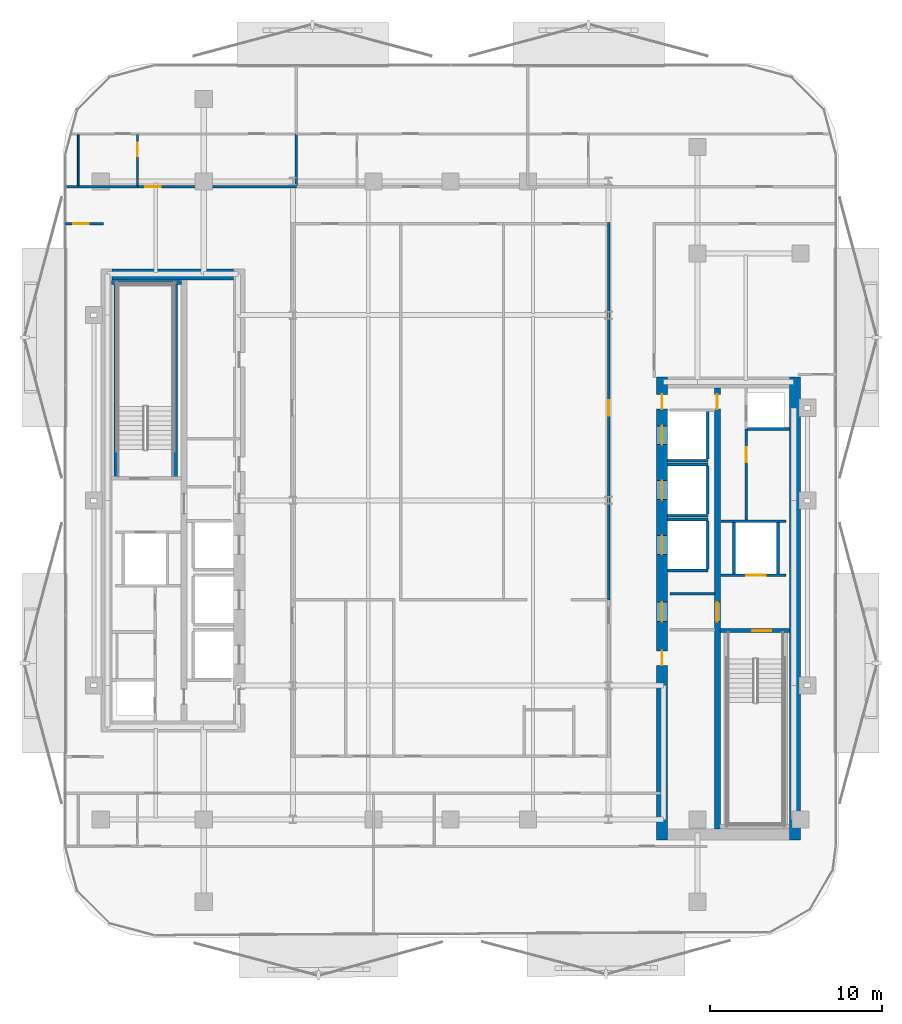
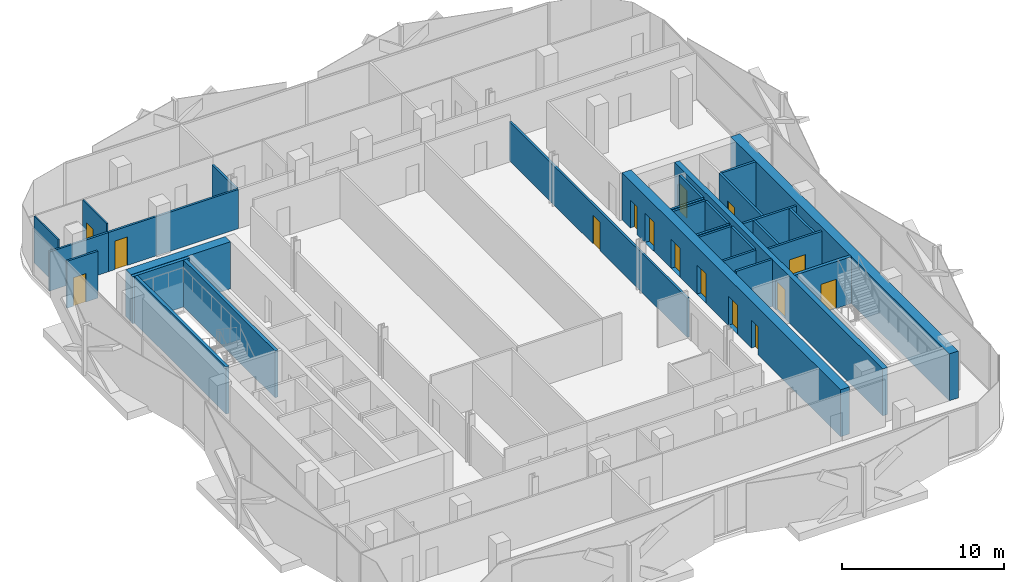
# One storey, part 5 of 16: 30 walls, 15 doors, 15 openings.
"""IFC4 building model written with IfcOpenShell, lengths in metres."""

from ifc_helpers import new_model, si_unit, direction, frame, frame_2d, origin, place, context, subcontext, project, spatial, rectangle, extrude, material, layer, layer_set, type_object, element, fill, save


model = new_model("IFC4")

# Units and contexts
model_context = context("Model", 3, precision=1e-05, world=origin(), true_north=direction((0.0, 1.0)))
body_context = subcontext(model_context, "Body", "Model", "MODEL_VIEW")
ifc_project = project(units=[si_unit("LENGTHUNIT", "METRE"), si_unit("AREAUNIT", "SQUARE_METRE"), si_unit("VOLUMEUNIT", "CUBIC_METRE"), si_unit("PLANEANGLEUNIT", "RADIAN"), si_unit("MASSUNIT", "GRAM", prefix="KILO")], contexts=[model_context])

# Site, building, storey
site_placement = place(None, origin())
site = spatial("IfcSite", under=ifc_project, at=site_placement, CompositionType="ELEMENT")
building_placement = place(site_placement, origin())
building = spatial("IfcBuilding", under=site, at=building_placement, Name="Khairoan Windgate Tower", CompositionType="ELEMENT")
storey_placement = place(building_placement, frame((0.0, 0.0, 187.800048828125)))
storey = spatial("IfcBuildingStorey", under=building, at=storey_placement, Name="L43", CompositionType="ELEMENT", Elevation=187.800048828125)

# Wall, opening, door
ifc_material_1 = material(Name="Moisture-Resistant Gypsum Partition", Category="gypsum")
ifc_layer_1 = layer(ifc_material_1, 0.10009765625, Name="Moisture-Resistant Gypsum Partition")
ifc_layer_set_1 = layer_set([ifc_layer_1], Name="Moisture-Resistant Gypsum Partition")
wall_type_1 = type_object("IfcWallType", Name="Bathroom Wet-Area Partition Wall", PredefinedType="PARTITIONING", material=ifc_layer_set_1)
wall_1_placement = place(storey_placement, frame((-18.260009765625, 18.35498046875, 0.0), z_axis=(0.0, 0.0, 1.0), x_axis=(0.0, 1.0, 0.0)))
wall_1 = element("IfcWall", 1, at=wall_1_placement, inside=storey, type_object=wall_type_1, Name="L43 Interior Partition 047", PredefinedType="PARTITIONING", context=body_context, shape_type="SweptSolid", body=[
    extrude(rectangle(XDim=2.965087890625, YDim=0.10009765625, at=frame_2d((1.482421875, 0.0))), origin(), (0.0, 0.0, 1.0), 3.5400390625),
])
opening_1_placement = place(wall_1_placement, frame((1.705078125, 0.0, 0.0)))
opening_1 = element("IfcOpeningElement", 2, at=opening_1_placement, cuts=wall_1, Name="Opening ID-BTH", PredefinedType="OPENING", context=body_context, shape_type="SweptSolid", body=[
    extrude(rectangle(XDim=0.800048828125, YDim=2.10009765625, at=frame_2d((0.39990234375, 1.050048828125))), frame((0.0, 0.06005859375, 0.0), z_axis=(0.0, -1.0, 0.0), x_axis=(1.0, 0.0, 0.0)), (0.0, 0.0, 1.0), 0.1201171875),
])
ifc_material_2 = material(Name="Teak Veneer Timber Leaf", Category="wood")
door_type_1 = type_object("IfcDoorType", Name="Internal Bathroom Door ID-BTH 800x2100", OperationType="NOTDEFINED", PredefinedType="DOOR", material=ifc_material_2)
door_1_placement = place(opening_1_placement, origin())
door_1 = element("IfcDoor", 3, at=door_1_placement, inside=storey, type_object=door_type_1, Name="L43 L43-39-L43-40 Door", OperationType="SINGLE_SWING_LEFT", OverallHeight=2.10009765625, OverallWidth=0.800048828125, PredefinedType="DOOR", context=body_context, shape_type="SweptSolid", body=[
    extrude(rectangle(XDim=0.800048828125, YDim=2.10009765625, at=frame_2d((0.39990234375, 1.050048828125))), frame((0.0, 0.02490234375, 0.0), z_axis=(0.0, -1.0, 0.0), x_axis=(1.0, 0.0, 0.0)), (0.0, 0.0, 1.0), 0.050048828125),
])
fill(opening_1, door_1)

# Walls
wall_2_placement = place(storey_placement, frame((-21.719970703125, 18.35498046875, 0.0), z_axis=(0.0, 0.0, 1.0), x_axis=(0.0, 1.0, 0.0)))
element("IfcWall", 4, at=wall_2_placement, inside=storey, type_object=wall_type_1, Name="L43 Wet Room Side Wall 071", PredefinedType="PARTITIONING", context=body_context, shape_type="SweptSolid", body=[
    extrude(rectangle(XDim=2.965087890625, YDim=0.10009765625, at=frame_2d((1.482421875, 0.0))), origin(), (0.0, 0.0, 1.0), 3.5400390625),
])
ifc_material_3 = material(Name="Concrete C40/50", Category="concrete")
ifc_layer_2 = layer(ifc_material_3, 0.159912109375, Name="Concrete C40/50")
ifc_layer_set_2 = layer_set([ifc_layer_2], Name="Concrete C40/50")
wall_type_2 = type_object("IfcWallType", Name="Core and Hoistway Enclosure Wall", PredefinedType="STANDARD", material=ifc_layer_set_2)
wall_3_placement = place(storey_placement, frame((12.64990234375, 2.31005859375, 0.0), z_axis=(0.0, 0.0, 1.0), x_axis=(1.0, 0.0, 0.0)))
element("IfcWall", 5, at=wall_3_placement, inside=storey, type_object=wall_type_2, Name="L43 Lift PL7 Hoistway Divider S", PredefinedType="STANDARD", context=body_context, shape_type="SweptSolid", body=[
    extrude(rectangle(XDim=2.340087890625, YDim=0.159912109375, at=frame_2d((1.169921875, 0.0))), origin(), (0.0, 0.0, 1.0), 3.5400390625),
])
wall_4_placement = place(storey_placement, frame((14.989990234375, 2.39990234375, 0.0), z_axis=(0.0, 0.0, 1.0), x_axis=(0.0, 1.0, 0.0)))
element("IfcWall", 6, at=wall_4_placement, inside=storey, type_object=wall_type_2, Name="L43 Lift PL7 Hoistway Back Wall", PredefinedType="STANDARD", context=body_context, shape_type="SweptSolid", body=[
    extrude(rectangle(XDim=2.800048828125, YDim=0.159912109375, at=frame_2d((1.39990234375, 0.0))), origin(), (0.0, 0.0, 1.0), 3.5400390625),
])
for number, where, z_axis, x_axis, name in (
    (7, (12.64990234375, -0.889892578125, 0.0), (0.0, 0.0, 1.0), (1.0, 0.0, 0.0), "L43 Lift PL8 Hoistway Divider S"),
    (8, (12.64990234375, 2.090087890625, 0.0), (0.0, 0.0, 1.0), (1.0, 0.0, 0.0), "L43 Lift PL8 Hoistway Divider N"),
):
    element("IfcWall", number, at=place(storey_placement, frame(where, z_axis=z_axis, x_axis=x_axis)), inside=storey, type_object=wall_type_2, Name=name, PredefinedType="STANDARD", context=body_context, shape_type="SweptSolid", body=[
        extrude(rectangle(XDim=2.340087890625, YDim=0.159912109375, at=frame_2d((1.169921875, 0.0))), origin(), (0.0, 0.0, 1.0), 3.5400390625),
    ])
wall_5_placement = place(storey_placement, frame((14.989990234375, -0.800048828125, 0.0), z_axis=(0.0, 0.0, 1.0), x_axis=(0.0, 1.0, 0.0)))
element("IfcWall", 9, at=wall_5_placement, inside=storey, type_object=wall_type_2, Name="L43 Lift PL8 Hoistway Back Wall", PredefinedType="STANDARD", context=body_context, shape_type="SweptSolid", body=[
    extrude(rectangle(XDim=2.800048828125, YDim=0.159912109375, at=frame_2d((1.39990234375, 0.0))), origin(), (0.0, 0.0, 1.0), 3.5400390625),
])
for number, where, z_axis, x_axis, name in (
    (10, (12.64990234375, -4.090087890625, 0.0), (0.0, 0.0, 1.0), (1.0, 0.0, 0.0), "L43 Lift PL9 Hoistway Divider S"),
    (11, (12.64990234375, -1.110107421875, 0.0), (0.0, 0.0, 1.0), (1.0, 0.0, 0.0), "L43 Lift PL9 Hoistway Divider N"),
):
    element("IfcWall", number, at=place(storey_placement, frame(where, z_axis=z_axis, x_axis=x_axis)), inside=storey, type_object=wall_type_2, Name=name, PredefinedType="STANDARD", context=body_context, shape_type="SweptSolid", body=[
        extrude(rectangle(XDim=2.340087890625, YDim=0.159912109375, at=frame_2d((1.169921875, 0.0))), origin(), (0.0, 0.0, 1.0), 3.5400390625),
    ])
wall_6_placement = place(storey_placement, frame((14.989990234375, -4.0, 0.0), z_axis=(0.0, 0.0, 1.0), x_axis=(0.0, 1.0, 0.0)))
element("IfcWall", 12, at=wall_6_placement, inside=storey, type_object=wall_type_2, Name="L43 Lift PL9 Hoistway Back Wall", PredefinedType="STANDARD", context=body_context, shape_type="SweptSolid", body=[
    extrude(rectangle(XDim=2.800048828125, YDim=0.159912109375, at=frame_2d((1.39990234375, 0.0))), origin(), (0.0, 0.0, 1.0), 3.5400390625),
])

# Wall, opening, door
wall_7_placement = place(storey_placement, frame((15.75, -4.360107421875, 0.0), z_axis=(0.0, 0.0, 1.0), x_axis=(1.0, 0.0, 0.0)))
wall_7 = element("IfcWall", 13, at=wall_7_placement, inside=storey, type_object=wall_type_2, Name="L43 Core Shaft Wall SW-FL1-L43", PredefinedType="STANDARD", context=body_context, shape_type="SweptSolid", body=[
    extrude(rectangle(XDim=3.800048828125, YDim=0.159912109375, at=frame_2d((1.89990234375, 0.0))), origin(), (0.0, 0.0, 1.0), 3.5400390625),
])
opening_2_placement = place(wall_7_placement, frame((1.469970703125, 0.0, 0.0)))
opening_2 = element("IfcOpeningElement", 14, at=opening_2_placement, cuts=wall_7, Name="Opening LD-FL", PredefinedType="OPENING", context=body_context, shape_type="SweptSolid", body=[
    extrude(rectangle(XDim=1.14990234375, YDim=2.199951171875, at=frame_2d((0.574951171875, 1.10009765625))), frame((0.0, 0.08984375, 0.0), z_axis=(0.0, -1.0, 0.0), x_axis=(1.0, 0.0, 0.0)), (0.0, 0.0, 1.0), 0.179931640625),
])
ifc_material_4 = material(Name="Steel S355", Category="steel")
door_type_2 = type_object("IfcDoorType", Name="Firefighting Lift Sliding Landing Door LD-FL 1150x2200", OperationType="DOUBLE_DOOR_SLIDING", PredefinedType="DOOR", material=ifc_material_4)
door_2_placement = place(opening_2_placement, origin())
door_2 = element("IfcDoor", 15, at=door_2_placement, inside=storey, type_object=door_type_2, Name="L43 Firefighting Lift FL1 Landing Door", OperationType="DOUBLE_DOOR_SLIDING", OverallHeight=2.199951171875, OverallWidth=1.14990234375, PredefinedType="DOOR", context=body_context, shape_type="SweptSolid", body=[
    extrude(rectangle(XDim=1.14990234375, YDim=2.199951171875, at=frame_2d((0.574951171875, 1.10009765625))), frame((0.0, 0.02490234375, 0.0), z_axis=(0.0, -1.0, 0.0), x_axis=(1.0, 0.0, 0.0)), (0.0, 0.0, 1.0), 0.050048828125),
])
fill(opening_2, door_2)

# Walls
wall_8_placement = place(storey_placement, frame((15.75, -1.219970703125, 0.0), z_axis=(0.0, 0.0, 1.0), x_axis=(1.0, 0.0, 0.0)))
element("IfcWall", 16, at=wall_8_placement, inside=storey, type_object=wall_type_2, Name="L43 Core Shaft Wall SW-FL1T-L43", PredefinedType="STANDARD", context=body_context, shape_type="SweptSolid", body=[
    extrude(rectangle(XDim=3.800048828125, YDim=0.159912109375, at=frame_2d((1.89990234375, 0.0))), origin(), (0.0, 0.0, 1.0), 3.5400390625),
])
for number, where, z_axis, x_axis, name in (
    (17, (16.52001953125, -4.280029296875, 0.0), (0.0, 0.0, 1.0), (0.0, 1.0, 0.0), "L43 Core Shaft Wall SW-FL1W-L43"),
    (18, (19.080078125, -4.280029296875, 0.0), (0.0, 0.0, 1.0), (0.0, 1.0, 0.0), "L43 Core Shaft Wall SW-FL1E-L43"),
):
    element("IfcWall", number, at=place(storey_placement, frame(where, z_axis=z_axis, x_axis=x_axis)), inside=storey, type_object=wall_type_2, Name=name, PredefinedType="STANDARD", context=body_context, shape_type="SweptSolid", body=[
        extrude(rectangle(XDim=2.97998046875, YDim=0.159912109375, at=frame_2d((1.489990234375, 0.0))), origin(), (0.0, 0.0, 1.0), 3.5400390625),
    ])
wall_9_placement = place(storey_placement, frame((12.800048828125, -5.449951171875, 0.0), z_axis=(0.0, 0.0, 1.0), x_axis=(1.0, 0.0, 0.0)))
element("IfcWall", 19, at=wall_9_placement, inside=storey, type_object=wall_type_2, Name="L43 Core Shaft Wall SW-EV1-L43", PredefinedType="STANDARD", context=body_context, shape_type="SweptSolid", body=[
    extrude(rectangle(XDim=2.599853515625, YDim=0.159912109375, at=frame_2d((1.2998046875, 0.0))), origin(), (0.0, 0.0, 1.0), 3.5400390625),
])
ifc_material_5 = material(Name="Acoustic Fire-Rated Gypsum Partition", Category="gypsum")
ifc_layer_3 = layer(ifc_material_5, 0.139892578125, Name="Acoustic Fire-Rated Gypsum Partition")
ifc_layer_set_3 = layer_set([ifc_layer_3], Name="Acoustic Fire-Rated Gypsum Partition")
wall_type_3 = type_object("IfcWallType", Name="Inter-Tenancy Compartment Wall", PredefinedType="PARTITIONING", material=ifc_layer_set_3)
wall_10_placement = place(storey_placement, frame((-9.0, 18.35498046875, 0.0), z_axis=(0.0, 0.0, 1.0), x_axis=(0.0, 1.0, 0.0)))
element("IfcWall", 20, at=wall_10_placement, inside=storey, type_object=wall_type_3, Name="L43 Interior Partition 050", PredefinedType="PARTITIONING", context=body_context, shape_type="SweptSolid", body=[
    extrude(rectangle(XDim=3.01513671875, YDim=0.139892578125, at=frame_2d((1.507568359375, 0.0))), origin(), (0.0, 0.0, 1.0), 2.951904296875),
])

# Wall, opening, door
ifc_material_6 = material(Name="Concrete C40/50", Category="concrete")
ifc_layer_4 = layer(ifc_material_6, 0.159912109375, Name="Concrete C40/50")
ifc_layer_set_4 = layer_set([ifc_layer_4], Name="Concrete C40/50")
wall_type_4 = type_object("IfcWallType", Name="Plant and Refuge Compartment Wall", PredefinedType="PARTITIONING", material=ifc_layer_set_4)
wall_11_placement = place(storey_placement, frame((17.22998046875, -1.139892578125, 0.0), z_axis=(0.0, 0.0, 1.0), x_axis=(0.0, 1.0, 0.0)))
wall_11 = element("IfcWall", 21, at=wall_11_placement, inside=storey, type_object=wall_type_4, Name="L43 Interior Partition 008", PredefinedType="PARTITIONING", context=body_context, shape_type="SweptSolid", body=[
    extrude(rectangle(XDim=5.309814453125, YDim=0.159912109375, at=frame_2d((2.65478515625, 0.0))), origin(), (0.0, 0.0, 1.0), 3.5400390625),
])
opening_3_placement = place(wall_11_placement, frame((3.375244140625, 0.0, 0.0)))
opening_3 = element("IfcOpeningElement", 22, at=opening_3_placement, cuts=wall_11, Name="Opening FD-SRV", PredefinedType="OPENING", context=body_context, shape_type="SweptSolid", body=[
    extrude(rectangle(XDim=0.85009765625, YDim=2.10009765625, at=frame_2d((0.425048828125, 1.050048828125))), frame((0.0, 0.08984375, 0.0), z_axis=(0.0, -1.0, 0.0), x_axis=(1.0, 0.0, 0.0)), (0.0, 0.0, 1.0), 0.179931640625),
])
ifc_material_7 = material(Name="Steel S355", Category="steel")
door_type_3 = type_object("IfcDoorType", Name="Core Service and Riser Fire Door FD-SRV 850x2100", OperationType="NOTDEFINED", PredefinedType="DOOR", material=ifc_material_7)
door_3_placement = place(opening_3_placement, origin())
door_3 = element("IfcDoor", 23, at=door_3_placement, inside=storey, type_object=door_type_3, Name="L43 L43-18-L43-20 Door", OperationType="SINGLE_SWING_LEFT", OverallHeight=2.10009765625, OverallWidth=0.85009765625, PredefinedType="DOOR", context=body_context, shape_type="SweptSolid", body=[
    extrude(rectangle(XDim=0.85009765625, YDim=2.10009765625, at=frame_2d((0.425048828125, 1.050048828125))), frame((0.0, 0.02490234375, 0.0), z_axis=(0.0, -1.0, 0.0), x_axis=(1.0, 0.0, 0.0)), (0.0, 0.0, 1.0), 0.050048828125),
])
fill(opening_3, door_3)

# Wall
wall_12_placement = place(storey_placement, frame((17.31005859375, 4.169921875, 0.0), z_axis=(0.0, 0.0, 1.0), x_axis=(1.0, 0.0, 0.0)))
element("IfcWall", 24, at=wall_12_placement, inside=storey, type_object=wall_type_4, Name="L43 Interior Partition 009", PredefinedType="PARTITIONING", context=body_context, shape_type="SweptSolid", body=[
    extrude(rectangle(XDim=2.43994140625, YDim=0.159912109375, at=frame_2d((1.219970703125, 0.0))), origin(), (0.0, 0.0, 1.0), 3.5400390625),
])

# Wall, opening, door
ifc_material_8 = material(Name="Acoustic Fire-Rated Gypsum Partition", Category="gypsum")
ifc_layer_5 = layer(ifc_material_8, 0.14990234375, Name="Acoustic Fire-Rated Gypsum Partition")
ifc_layer_set_5 = layer_set([ifc_layer_5], Name="Acoustic Fire-Rated Gypsum Partition")
wall_type_5 = type_object("IfcWallType", Name="Rated Corridor Partition Wall", PredefinedType="PARTITIONING", material=ifc_layer_set_5)
wall_13_placement = place(storey_placement, frame((9.219970703125, -5.800048828125, 0.0), z_axis=(0.0, 0.0, 1.0), x_axis=(0.0, 1.0, 0.0)))
wall_13 = element("IfcWall", 25, at=wall_13_placement, inside=storey, type_object=wall_type_5, Name="L43 Interior Partition 013", PredefinedType="PARTITIONING", context=body_context, shape_type="SweptSolid", body=[
    extrude(rectangle(XDim=21.9951171875, YDim=0.14990234375, at=frame_2d((10.99755859375, 0.0))), origin(), (0.0, 0.0, 1.0), 2.951904296875),
])
opening_4_placement = place(wall_13_placement, frame((10.749267578125, 0.0, 0.0)))
opening_4 = element("IfcOpeningElement", 26, at=opening_4_placement, cuts=wall_13, Name="Opening FD-ENT", PredefinedType="OPENING", context=body_context, shape_type="SweptSolid", body=[
    extrude(rectangle(XDim=0.89990234375, YDim=2.14990234375, at=frame_2d((0.449951171875, 1.074951171875))), frame((0.0, 0.0849609375, 0.0), z_axis=(0.0, -1.0, 0.0), x_axis=(1.0, 0.0, 0.0)), (0.0, 0.0, 1.0), 0.169921875),
])
ifc_material_9 = material(Name="Timber Fire-Rated Core", Category="wood")
door_type_4 = type_object("IfcDoorType", Name="Unit and Office Fire Entrance Door FD-ENT 900x2150", OperationType="NOTDEFINED", PredefinedType="DOOR", material=ifc_material_9)
door_4_placement = place(opening_4_placement, origin())
door_4 = element("IfcDoor", 27, at=door_4_placement, inside=storey, type_object=door_type_4, Name="L43 L43-28-L43-38 Door", OperationType="SINGLE_SWING_LEFT", OverallHeight=2.14990234375, OverallWidth=0.89990234375, PredefinedType="DOOR", context=body_context, shape_type="SweptSolid", body=[
    extrude(rectangle(XDim=0.89990234375, YDim=2.14990234375, at=frame_2d((0.449951171875, 1.074951171875))), frame((0.0, 0.02490234375, 0.0), z_axis=(0.0, -1.0, 0.0), x_axis=(1.0, 0.0, 0.0)), (0.0, 0.0, 1.0), 0.050048828125),
])
fill(opening_4, door_4)

# Wall
wall_14_placement = place(storey_placement, frame((-22.455078125, 18.280029296875, 0.0), z_axis=(0.0, 0.0, 1.0), x_axis=(1.0, 0.0, 0.0)))
element("IfcWall", 28, at=wall_14_placement, inside=storey, type_object=wall_type_5, Name="L43 Interior Partition 018", PredefinedType="PARTITIONING", context=body_context, shape_type="SweptSolid", body=[
    extrude(rectangle(XDim=4.195068359375, YDim=0.14990234375, at=frame_2d((2.09765625, 0.0))), origin(), (0.0, 0.0, 1.0), 2.951904296875),
])

# Wall, opening, door
wall_15_placement = place(storey_placement, frame((-18.260009765625, 18.280029296875, 0.0), z_axis=(0.0, 0.0, 1.0), x_axis=(1.0, 0.0, 0.0)))
wall_15 = element("IfcWall", 29, at=wall_15_placement, inside=storey, type_object=wall_type_5, Name="L43 Interior Partition 019", PredefinedType="PARTITIONING", context=body_context, shape_type="SweptSolid", body=[
    extrude(rectangle(XDim=9.260009765625, YDim=0.14990234375, at=frame_2d((4.6298828125, 0.0))), origin(), (0.0, 0.0, 1.0), 2.951904296875),
])
opening_5_placement = place(wall_15_placement, frame((0.4599609375, 0.0, 0.0)))
opening_5 = element("IfcOpeningElement", 30, at=opening_5_placement, cuts=wall_15, Name="Opening FD-ENT", PredefinedType="OPENING", context=body_context, shape_type="SweptSolid", body=[
    extrude(rectangle(XDim=0.89990234375, YDim=2.14990234375, at=frame_2d((0.449951171875, 1.074951171875))), frame((0.0, 0.0849609375, 0.0), z_axis=(0.0, -1.0, 0.0), x_axis=(1.0, 0.0, 0.0)), (0.0, 0.0, 1.0), 0.169921875),
])
door_5_placement = place(opening_5_placement, origin())
door_5 = element("IfcDoor", 31, at=door_5_placement, inside=storey, type_object=door_type_4, Name="L43 L43-29-L43-40 Door", OperationType="SINGLE_SWING_RIGHT", OverallHeight=2.14990234375, OverallWidth=0.89990234375, PredefinedType="DOOR", context=body_context, shape_type="SweptSolid", body=[
    extrude(rectangle(XDim=0.89990234375, YDim=2.14990234375, at=frame_2d((0.449951171875, 1.074951171875))), frame((0.0, 0.02490234375, 0.0), z_axis=(0.0, -1.0, 0.0), x_axis=(1.0, 0.0, 0.0)), (0.0, 0.0, 1.0), 0.050048828125),
])
fill(opening_5, door_5)

wall_16_placement = place(storey_placement, frame((-22.455078125, 16.139892578125, 0.0), z_axis=(0.0, 0.0, 1.0), x_axis=(1.0, 0.0, 0.0)))
wall_16 = element("IfcWall", 32, at=wall_16_placement, inside=storey, type_object=wall_type_5, Name="L43 Interior Partition 025", PredefinedType="PARTITIONING", context=body_context, shape_type="SweptSolid", body=[
    extrude(rectangle(XDim=2.215087890625, YDim=0.14990234375, at=frame_2d((1.107421875, 0.0))), origin(), (0.0, 0.0, 1.0), 3.5400390625),
])
opening_6_placement = place(wall_16_placement, frame((0.4599609375, 0.0, 0.0)))
opening_6 = element("IfcOpeningElement", 33, at=opening_6_placement, cuts=wall_16, Name="Opening FD-ENT", PredefinedType="OPENING", context=body_context, shape_type="SweptSolid", body=[
    extrude(rectangle(XDim=0.89990234375, YDim=2.14990234375, at=frame_2d((0.449951171875, 1.074951171875))), frame((0.0, 0.0849609375, 0.0), z_axis=(0.0, -1.0, 0.0), x_axis=(1.0, 0.0, 0.0)), (0.0, 0.0, 1.0), 0.169921875),
])
door_6_placement = place(opening_6_placement, origin())
door_6 = element("IfcDoor", 34, at=door_6_placement, inside=storey, type_object=door_type_4, Name="L43 L43-29-L43-55 Door", OperationType="SINGLE_SWING_RIGHT", OverallHeight=2.14990234375, OverallWidth=0.89990234375, PredefinedType="DOOR", context=body_context, shape_type="SweptSolid", body=[
    extrude(rectangle(XDim=0.89990234375, YDim=2.14990234375, at=frame_2d((0.449951171875, 1.074951171875))), frame((0.0, 0.02490234375, 0.0), z_axis=(0.0, -1.0, 0.0), x_axis=(1.0, 0.0, 0.0)), (0.0, 0.0, 1.0), 0.050048828125),
])
fill(opening_6, door_6)

# Wall, openings, doors
ifc_material_10 = material(Name="Concrete C60/75", Category="concrete")
ifc_layer_6 = layer(ifc_material_10, 0.64990234375, Name="Concrete C60/75")
ifc_layer_set_6 = layer_set([ifc_layer_6], Name="Concrete C60/75")
wall_type_6 = type_object("IfcWallType", Name="Shear Wall CW-E2 650mm", PredefinedType="SHEAR", material=ifc_layer_set_6)
wall_17_placement = place(storey_placement, frame((12.324951171875, -19.800048828125, 0.0), z_axis=(0.0, 0.0, 1.0), x_axis=(0.0, 1.0, 0.0)))
wall_17 = element("IfcWall", 35, at=wall_17_placement, inside=storey, type_object=wall_type_6, Name="E Core West Shear Wall L43", PredefinedType="SHEAR", context=body_context, shape_type="SweptSolid", body=[
    extrude(rectangle(XDim=27.0, YDim=0.64990234375, at=frame_2d((13.5, 0.0))), origin(), (0.0, 0.0, 1.0), 3.5400390625),
])
opening_7_placement = place(wall_17_placement, frame((23.050048828125, 0.0, 0.0)))
opening_7 = element("IfcOpeningElement", 36, at=opening_7_placement, cuts=wall_17, Name="Opening LD-PL", PredefinedType="OPENING", context=body_context, shape_type="SweptSolid", body=[
    extrude(rectangle(XDim=1.10009765625, YDim=2.199951171875, at=frame_2d((0.550048828125, 1.10009765625))), frame((0.0, 0.3349609375, 0.0), z_axis=(0.0, -1.0, 0.0), x_axis=(1.0, 0.0, 0.0)), (0.0, 0.0, 1.0), 0.669921875),
])
opening_8_placement = place(wall_17_placement, frame((19.85009765625, 0.0, 0.0)))
opening_8 = element("IfcOpeningElement", 37, at=opening_8_placement, cuts=wall_17, Name="Opening LD-PL", PredefinedType="OPENING", context=body_context, shape_type="SweptSolid", body=[
    extrude(rectangle(XDim=1.10009765625, YDim=2.199951171875, at=frame_2d((0.550048828125, 1.10009765625))), frame((0.0, 0.3349609375, 0.0), z_axis=(0.0, -1.0, 0.0), x_axis=(1.0, 0.0, 0.0)), (0.0, 0.0, 1.0), 0.669921875),
])
opening_9_placement = place(wall_17_placement, frame((16.64990234375, 0.0, 0.0)))
opening_9 = element("IfcOpeningElement", 38, at=opening_9_placement, cuts=wall_17, Name="Opening LD-PL", PredefinedType="OPENING", context=body_context, shape_type="SweptSolid", body=[
    extrude(rectangle(XDim=1.10009765625, YDim=2.199951171875, at=frame_2d((0.550048828125, 1.10009765625))), frame((0.0, 0.3349609375, 0.0), z_axis=(0.0, -1.0, 0.0), x_axis=(1.0, 0.0, 0.0)), (0.0, 0.0, 1.0), 0.669921875),
])
opening_10_placement = place(wall_17_placement, frame((10.175048828125, 0.0, 0.0)))
opening_10 = element("IfcOpeningElement", 39, at=opening_10_placement, cuts=wall_17, Name="Opening FD-SRV", PredefinedType="OPENING", context=body_context, shape_type="SweptSolid", body=[
    extrude(rectangle(XDim=0.85009765625, YDim=2.10009765625, at=frame_2d((0.425048828125, 1.050048828125))), frame((0.0, 0.3349609375, 0.0), z_axis=(0.0, -1.0, 0.0), x_axis=(1.0, 0.0, 0.0)), (0.0, 0.0, 1.0), 0.669921875),
])
opening_11_placement = place(wall_17_placement, frame((12.72509765625, 0.0, 0.0)))
opening_11 = element("IfcOpeningElement", 40, at=opening_11_placement, cuts=wall_17, Name="Opening FD-FFL", PredefinedType="OPENING", context=body_context, shape_type="SweptSolid", body=[
    extrude(rectangle(XDim=1.14990234375, YDim=2.199951171875, at=frame_2d((0.574951171875, 1.10009765625))), frame((0.0, 0.3349609375, 0.0), z_axis=(0.0, -1.0, 0.0), x_axis=(1.0, 0.0, 0.0)), (0.0, 0.0, 1.0), 0.669921875),
])
opening_12_placement = place(wall_17_placement, frame((25.125, 0.0, 0.0)))
opening_12 = element("IfcOpeningElement", 41, at=opening_12_placement, cuts=wall_17, Name="Opening FD-SRV", PredefinedType="OPENING", context=body_context, shape_type="SweptSolid", body=[
    extrude(rectangle(XDim=0.85009765625, YDim=2.10009765625, at=frame_2d((0.425048828125, 1.050048828125))), frame((0.0, 0.3349609375, 0.0), z_axis=(0.0, -1.0, 0.0), x_axis=(1.0, 0.0, 0.0)), (0.0, 0.0, 1.0), 0.669921875),
])
door_7_placement = place(opening_10_placement, origin())
door_7 = element("IfcDoor", 42, at=door_7_placement, inside=storey, type_object=door_type_3, Name="L43 East Core Service Room Door 1", OperationType="SINGLE_SWING_RIGHT", OverallHeight=2.10009765625, OverallWidth=0.85009765625, PredefinedType="DOOR", context=body_context, shape_type="SweptSolid", body=[
    extrude(rectangle(XDim=0.85009765625, YDim=2.10009765625, at=frame_2d((0.425048828125, 1.050048828125))), frame((0.0, 0.02490234375, 0.0), z_axis=(0.0, -1.0, 0.0), x_axis=(1.0, 0.0, 0.0)), (0.0, 0.0, 1.0), 0.050048828125),
])
fill(opening_10, door_7)
door_8_placement = place(opening_12_placement, origin())
door_8 = element("IfcDoor", 43, at=door_8_placement, inside=storey, type_object=door_type_3, Name="L43 East Core Service Vestibule Outer Door", OperationType="SINGLE_SWING_LEFT", OverallHeight=2.10009765625, OverallWidth=0.85009765625, PredefinedType="DOOR", context=body_context, shape_type="SweptSolid", body=[
    extrude(rectangle(XDim=0.85009765625, YDim=2.10009765625, at=frame_2d((0.425048828125, 1.050048828125))), frame((0.0, 0.02490234375, 0.0), z_axis=(0.0, -1.0, 0.0), x_axis=(1.0, 0.0, 0.0)), (0.0, 0.0, 1.0), 0.050048828125),
])
fill(opening_12, door_8)
ifc_material_11 = material(Name="Steel S355", Category="steel")
door_type_5 = type_object("IfcDoorType", Name="Firefighting Lobby Fire Door FD-FFL 1150x2200", OperationType="NOTDEFINED", PredefinedType="DOOR", material=ifc_material_11)
door_9_placement = place(opening_11_placement, origin())
door_9 = element("IfcDoor", 44, at=door_9_placement, inside=storey, type_object=door_type_5, Name="L43 East Core Vestibule Entry Door", OperationType="SINGLE_SWING_LEFT", OverallHeight=2.199951171875, OverallWidth=1.14990234375, PredefinedType="DOOR", context=body_context, shape_type="SweptSolid", body=[
    extrude(rectangle(XDim=1.14990234375, YDim=2.199951171875, at=frame_2d((0.574951171875, 1.10009765625))), frame((0.0, 0.02490234375, 0.0), z_axis=(0.0, -1.0, 0.0), x_axis=(1.0, 0.0, 0.0)), (0.0, 0.0, 1.0), 0.050048828125),
])
fill(opening_11, door_9)
ifc_material_12 = material(Name="Anodised Bronze Aluminium 6063-T6", Category="aluminium")
door_type_6 = type_object("IfcDoorType", Name="Passenger Lift Sliding Landing Door LD-PL 1100x2200", OperationType="DOUBLE_DOOR_SLIDING", PredefinedType="DOOR", material=ifc_material_12)
door_10_placement = place(opening_7_placement, origin())
door_10 = element("IfcDoor", 45, at=door_10_placement, inside=storey, type_object=door_type_6, Name="L43 Lift PL7 Sliding Landing Door", OperationType="DOUBLE_DOOR_SLIDING", OverallHeight=2.199951171875, OverallWidth=1.10009765625, PredefinedType="DOOR", context=body_context, shape_type="SweptSolid", body=[
    extrude(rectangle(XDim=1.10009765625, YDim=2.199951171875, at=frame_2d((0.550048828125, 1.10009765625))), frame((0.0, 0.02490234375, 0.0), z_axis=(0.0, -1.0, 0.0), x_axis=(1.0, 0.0, 0.0)), (0.0, 0.0, 1.0), 0.050048828125),
])
fill(opening_7, door_10)
door_11_placement = place(opening_8_placement, origin())
door_11 = element("IfcDoor", 46, at=door_11_placement, inside=storey, type_object=door_type_6, Name="L43 Lift PL8 Sliding Landing Door", OperationType="DOUBLE_DOOR_SLIDING", OverallHeight=2.199951171875, OverallWidth=1.10009765625, PredefinedType="DOOR", context=body_context, shape_type="SweptSolid", body=[
    extrude(rectangle(XDim=1.10009765625, YDim=2.199951171875, at=frame_2d((0.550048828125, 1.10009765625))), frame((0.0, 0.02490234375, 0.0), z_axis=(0.0, -1.0, 0.0), x_axis=(1.0, 0.0, 0.0)), (0.0, 0.0, 1.0), 0.050048828125),
])
fill(opening_8, door_11)
door_12_placement = place(opening_9_placement, origin())
door_12 = element("IfcDoor", 47, at=door_12_placement, inside=storey, type_object=door_type_6, Name="L43 Lift PL9 Sliding Landing Door", OperationType="DOUBLE_DOOR_SLIDING", OverallHeight=2.199951171875, OverallWidth=1.10009765625, PredefinedType="DOOR", context=body_context, shape_type="SweptSolid", body=[
    extrude(rectangle(XDim=1.10009765625, YDim=2.199951171875, at=frame_2d((0.550048828125, 1.10009765625))), frame((0.0, 0.02490234375, 0.0), z_axis=(0.0, -1.0, 0.0), x_axis=(1.0, 0.0, 0.0)), (0.0, 0.0, 1.0), 0.050048828125),
])
fill(opening_9, door_12)

# Walls
wall_18_placement = place(storey_placement, frame((20.074951171875, -19.800048828125, 0.0), z_axis=(0.0, 0.0, 1.0), x_axis=(0.0, 1.0, 0.0)))
element("IfcWall", 48, at=wall_18_placement, inside=storey, type_object=wall_type_6, Name="E Core East Shear Wall L43", PredefinedType="SHEAR", context=body_context, shape_type="SweptSolid", body=[
    extrude(rectangle(XDim=27.0, YDim=0.64990234375, at=frame_2d((13.5, 0.0))), origin(), (0.0, 0.0, 1.0), 3.5400390625),
])
ifc_material_13 = material(Name="Concrete C60/75", Category="concrete")
ifc_layer_7 = layer(ifc_material_13, 0.64990234375, Name="Concrete C60/75")
ifc_layer_set_7 = layer_set([ifc_layer_7], Name="Concrete C60/75")
wall_type_7 = type_object("IfcWallType", Name="Shear Wall CW-W2 650mm", PredefinedType="SHEAR", material=ifc_layer_set_7)
wall_19_placement = place(storey_placement, frame((-19.75, 13.175048828125, 0.0), z_axis=(0.0, 0.0, 1.0), x_axis=(1.0, 0.0, 0.0)))
element("IfcWall", 49, at=wall_19_placement, inside=storey, type_object=wall_type_7, Name="W Core North Shear Wall L43", PredefinedType="SHEAR", context=body_context, shape_type="SweptSolid", body=[
    extrude(rectangle(XDim=7.10009765625, YDim=0.64990234375, at=frame_2d((3.550048828125, 0.0))), origin(), (0.0, 0.0, 1.0), 3.5400390625),
])

# Wall, openings, doors
ifc_material_14 = material(Name="Concrete C60/75", Category="concrete")
ifc_layer_8 = layer(ifc_material_14, 0.35009765625, Name="Concrete C60/75")
ifc_layer_set_8 = layer_set([ifc_layer_8], Name="Concrete C60/75")
wall_type_8 = type_object("IfcWallType", Name="Shear Wall SW-1 350mm", PredefinedType="SHEAR", material=ifc_layer_set_8)
wall_20_placement = place(storey_placement, frame((15.550048828125, -19.14990234375, 0.0), z_axis=(0.0, 0.0, 1.0), x_axis=(0.0, 1.0, 0.0)))
wall_20 = element("IfcWall", 50, at=wall_20_placement, inside=storey, type_object=wall_type_8, Name="E Core Spine Shear Wall L43", PredefinedType="SHEAR", context=body_context, shape_type="SweptSolid", body=[
    extrude(rectangle(XDim=25.699951171875, YDim=0.35009765625, at=frame_2d((12.85009765625, 0.0))), origin(), (0.0, 0.0, 1.0), 3.5400390625),
])
opening_13_placement = place(wall_20_placement, frame((12.074951171875, 0.0, 0.0)))
opening_13 = element("IfcOpeningElement", 51, at=opening_13_placement, cuts=wall_20, Name="Opening FD-FFL", PredefinedType="OPENING", context=body_context, shape_type="SweptSolid", body=[
    extrude(rectangle(XDim=1.14990234375, YDim=2.199951171875, at=frame_2d((0.574951171875, 1.10009765625))), frame((0.0, 0.18505859375, 0.0), z_axis=(0.0, -1.0, 0.0), x_axis=(1.0, 0.0, 0.0)), (0.0, 0.0, 1.0), 0.3701171875),
])
opening_14_placement = place(wall_20_placement, frame((24.47509765625, 0.0, 0.0)))
opening_14 = element("IfcOpeningElement", 52, at=opening_14_placement, cuts=wall_20, Name="Opening FD-SRV", PredefinedType="OPENING", context=body_context, shape_type="SweptSolid", body=[
    extrude(rectangle(XDim=0.85009765625, YDim=2.10009765625, at=frame_2d((0.425048828125, 1.050048828125))), frame((0.0, 0.18505859375, 0.0), z_axis=(0.0, -1.0, 0.0), x_axis=(1.0, 0.0, 0.0)), (0.0, 0.0, 1.0), 0.3701171875),
])
door_13_placement = place(opening_14_placement, origin())
door_13 = element("IfcDoor", 53, at=door_13_placement, inside=storey, type_object=door_type_3, Name="L43 East Core Service Passage Inner Door", OperationType="SINGLE_SWING_RIGHT", OverallHeight=2.10009765625, OverallWidth=0.85009765625, PredefinedType="DOOR", context=body_context, shape_type="SweptSolid", body=[
    extrude(rectangle(XDim=0.85009765625, YDim=2.10009765625, at=frame_2d((0.425048828125, 1.050048828125))), frame((0.0, 0.02490234375, 0.0), z_axis=(0.0, -1.0, 0.0), x_axis=(1.0, 0.0, 0.0)), (0.0, 0.0, 1.0), 0.050048828125),
])
fill(opening_14, door_13)
door_14_placement = place(opening_13_placement, origin())
door_14 = element("IfcDoor", 54, at=door_14_placement, inside=storey, type_object=door_type_5, Name="L43 East Firefighting Lobby Fire Door", OperationType="SINGLE_SWING_RIGHT", OverallHeight=2.199951171875, OverallWidth=1.14990234375, PredefinedType="DOOR", context=body_context, shape_type="SweptSolid", body=[
    extrude(rectangle(XDim=1.14990234375, YDim=2.199951171875, at=frame_2d((0.574951171875, 1.10009765625))), frame((0.0, 0.02490234375, 0.0), z_axis=(0.0, -1.0, 0.0), x_axis=(1.0, 0.0, 0.0)), (0.0, 0.0, 1.0), 0.050048828125),
])
fill(opening_13, door_14)

# Wall, opening, door
ifc_material_15 = material(Name="Concrete C50/60", Category="concrete")
ifc_layer_9 = layer(ifc_material_15, 0.219970703125, Name="Concrete C50/60")
ifc_layer_set_9 = layer_set([ifc_layer_9], Name="Concrete C50/60")
wall_type_9 = type_object("IfcWallType", Name="Shear Wall SW-ST 220mm", PredefinedType="SHEAR", material=ifc_layer_set_9)
wall_21_placement = place(storey_placement, frame((19.77001953125, -7.590087890625, 0.0), z_axis=(0.0, 0.0, 1.0), x_axis=(-1.0, 0.0, 0.0)))
wall_21 = element("IfcWall", 55, at=wall_21_placement, inside=storey, type_object=wall_type_9, Name="L43 Stair ST1 North Bearing Wall", PredefinedType="SHEAR", context=body_context, shape_type="SweptSolid", body=[
    extrude(rectangle(XDim=4.06494140625, YDim=0.219970703125, at=frame_2d((2.032470703125, 0.0))), origin(), (0.0, 0.0, 1.0), 3.5400390625),
])
opening_15_placement = place(wall_21_placement, frame((1.080078125, 0.0, 0.0)))
opening_15 = element("IfcOpeningElement", 56, at=opening_15_placement, cuts=wall_21, Name="Opening FD-ST", PredefinedType="OPENING", context=body_context, shape_type="SweptSolid", body=[
    extrude(rectangle(XDim=1.10009765625, YDim=2.199951171875, at=frame_2d((0.550048828125, 1.10009765625))), frame((0.0, 0.119873046875, 0.0), z_axis=(0.0, -1.0, 0.0), x_axis=(1.0, 0.0, 0.0)), (0.0, 0.0, 1.0), 0.239990234375),
])
ifc_material_16 = material(Name="Steel S355", Category="steel")
door_type_7 = type_object("IfcDoorType", Name="Smokeproof Stair Fire Door FD-ST 1100x2200", OperationType="NOTDEFINED", PredefinedType="DOOR", material=ifc_material_16)
door_15_placement = place(opening_15_placement, origin())
door_15 = element("IfcDoor", 57, at=door_15_placement, inside=storey, type_object=door_type_7, Name="L43 Stair ST1 Fire Door", OperationType="SINGLE_SWING_RIGHT", OverallHeight=2.199951171875, OverallWidth=1.10009765625, PredefinedType="DOOR", context=body_context, shape_type="SweptSolid", body=[
    extrude(rectangle(XDim=1.10009765625, YDim=2.199951171875, at=frame_2d((0.550048828125, 1.10009765625))), frame((0.0, 0.02490234375, 0.0), z_axis=(0.0, -1.0, 0.0), x_axis=(1.0, 0.0, 0.0)), (0.0, 0.0, 1.0), 0.050048828125),
])
fill(opening_15, door_15)

# Walls
for number, where, z_axis, x_axis, name in (
    (58, (-16.0400390625, 1.2900390625, 0.0), (0.0, 0.0, 1.0), (0.0, 1.0, 0.0), "L43 Stair ST2 East Bearing Wall"),
    (59, (-19.530029296875, 1.2900390625, 0.0), (0.0, 0.0, 1.0), (0.0, 1.0, 0.0), "L43 Stair ST2 West Bearing Wall"),
):
    element("IfcWall", number, at=place(storey_placement, frame(where, z_axis=z_axis, x_axis=x_axis)), inside=storey, type_object=wall_type_9, Name=name, PredefinedType="SHEAR", context=body_context, shape_type="SweptSolid", body=[
        extrude(rectangle(XDim=11.419921875, YDim=0.219970703125, at=frame_2d((5.7099609375, 0.0))), origin(), (0.0, 0.0, 1.0), 3.5400390625),
    ])
wall_22_placement = place(storey_placement, frame((-19.77001953125, 12.7099609375, 0.0), z_axis=(0.0, 0.0, 1.0), x_axis=(1.0, 0.0, 0.0)))
element("IfcWall", 60, at=wall_22_placement, inside=storey, type_object=wall_type_9, Name="L43 Stair ST2 North Bearing Wall", PredefinedType="SHEAR", context=body_context, shape_type="SweptSolid", body=[
    extrude(rectangle(XDim=4.06494140625, YDim=0.219970703125, at=frame_2d((2.032470703125, 0.0))), origin(), (0.0, 0.0, 1.0), 3.5400390625),
])

save(model, "model.ifc")
